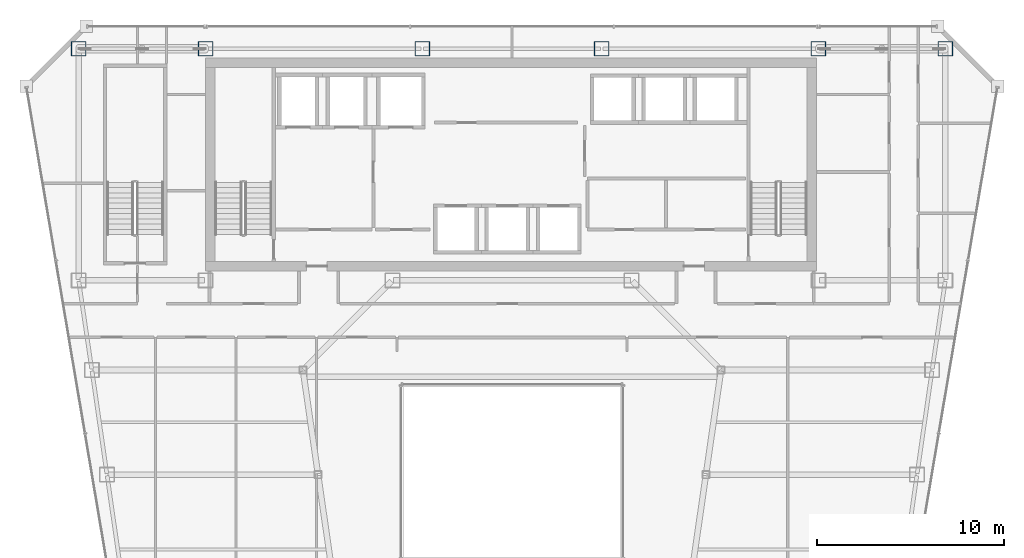
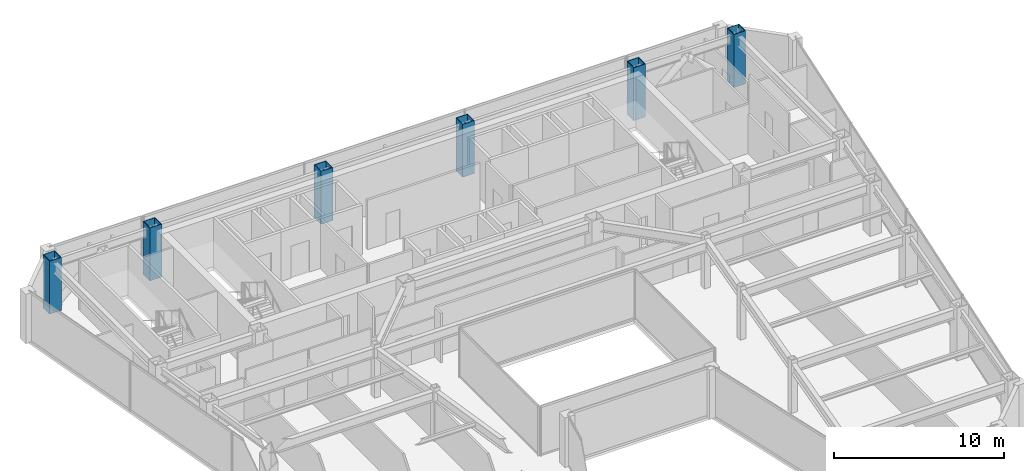
# One storey, part 2 of 35: 6 columns.
"""IFC4 building model written with IfcOpenShell, lengths in metres."""

from ifc_helpers import new_model, si_unit, direction, frame, origin, origin_2d, place, context, subcontext, project, spatial, hollow_rectangle, extrude, material, material_profile, profile_set, type_object, element, save


model = new_model("IFC4")

# Units and contexts
model_context = context("Model", 3, precision=1e-05, world=origin(), true_north=direction((0.0, 1.0)))
body_context = subcontext(model_context, "Body", "Model", "MODEL_VIEW")
ifc_project = project(units=[si_unit("LENGTHUNIT", "METRE"), si_unit("AREAUNIT", "SQUARE_METRE"), si_unit("VOLUMEUNIT", "CUBIC_METRE"), si_unit("PLANEANGLEUNIT", "RADIAN"), si_unit("MASSUNIT", "GRAM", prefix="KILO")], contexts=[model_context])

# Site, building, storey
site_placement = place(None, origin())
site = spatial("IfcSite", under=ifc_project, at=site_placement, CompositionType="ELEMENT")
building_placement = place(site_placement, origin())
building = spatial("IfcBuilding", under=site, at=building_placement, Name="Saevonmaru Cultural Tower", CompositionType="ELEMENT")
storey_placement = place(building_placement, frame((0.0, 0.0, 190.39990234375)))
storey = spatial("IfcBuildingStorey", under=building, at=storey_placement, Name="L43", CompositionType="ELEMENT", Elevation=190.39990234375)

# Columns
ifc_material = material(Name="Steel SM420", Category="steel")
ifc_material_profile = material_profile(ifc_material, hollow_rectangle(XDim=0.800048828125, YDim=0.800048828125, WallThickness=0.035888671875, at=origin_2d()), Name="BOX-800x800x36")
ifc_profile_set = profile_set([ifc_material_profile], Name="Steel SM420")
column_type = type_object("IfcColumnType", Name="COL-BOX-800", PredefinedType="COLUMN", material=ifc_profile_set)
for number, where, z_axis, x_axis, name in (
    (1, (6.800048828125, 54.800048828125, 0.0), (0.0, 0.0, 1.0), (1.0, 0.0, 0.0), "L43 Column TC-N1N"),
    (2, (13.60009765625, 54.800048828125, 0.0), (0.0, 0.0, 1.0), (1.0, 0.0, 0.0), "L43 Column TC-N2N"),
    (3, (25.199951171875, 54.800048828125, 0.0), (0.0, 0.0, 1.0), (1.0, 0.0, 0.0), "L43 Column TC-N3N"),
    (4, (34.800048828125, 54.800048828125, 0.0), (0.0, 0.0, 1.0), (1.0, 0.0, 0.0), "L43 Column TC-N4N"),
    (5, (46.39990234375, 54.800048828125, 0.0), (0.0, 0.0, 1.0), (1.0, 0.0, 0.0), "L43 Column TC-N5N"),
    (6, (53.199951171875, 54.800048828125, 0.0), (0.0, 0.0, 1.0), (1.0, 0.0, 0.0), "L43 Column TC-N6N"),
):
    element("IfcColumn", number, at=place(storey_placement, frame(where, z_axis=z_axis, x_axis=x_axis)), inside=storey, type_object=column_type, Name=name, PredefinedType="COLUMN", context=body_context, shape_type="SweptSolid", body=[
        extrude(hollow_rectangle(XDim=0.800048828125, YDim=0.800048828125, WallThickness=0.035888671875, at=origin_2d()), origin(), (0.0, 0.0, 1.0), 3.800048828125),
    ])

save(model, "model.ifc")
